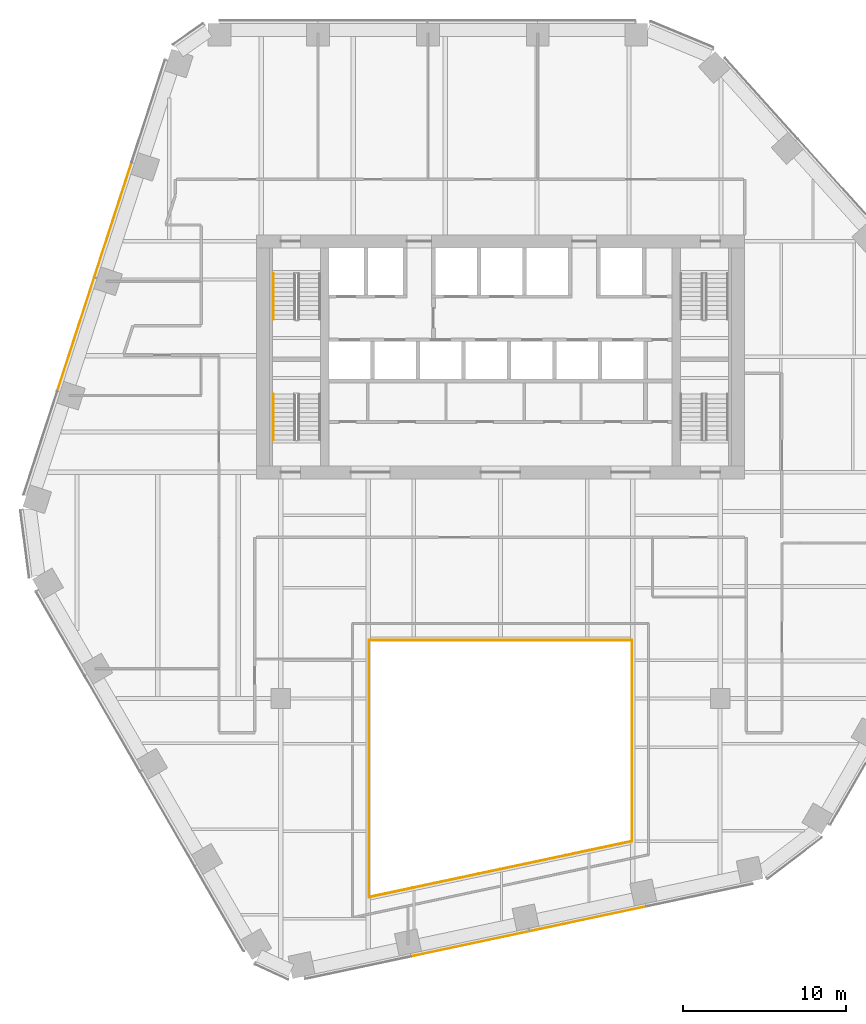
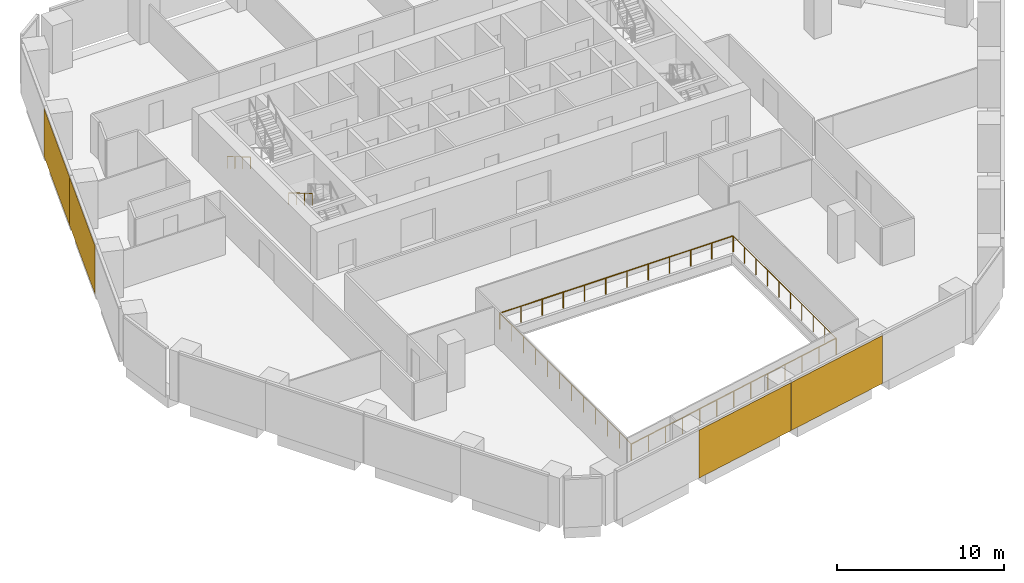
# One storey, part 14 of 16: 6 railings, 4 coverings, 2 elements without a shape of their own.
"""IFC4 building model written with IfcOpenShell, lengths in metres."""

from ifc_helpers import new_model, si_unit, direction, frame, origin, origin_2d, place, context, subcontext, project, spatial, rectangle, circle, extrude, material, layer, layer_set, type_object, element, aggregate, save


model = new_model("IFC4")

# Units and contexts
model_context = context("Model", 3, precision=1e-05, world=origin(), true_north=direction((0.0, 1.0)))
body_context = subcontext(model_context, "Body", "Model", "MODEL_VIEW")
ifc_project = project(units=[si_unit("LENGTHUNIT", "METRE"), si_unit("AREAUNIT", "SQUARE_METRE"), si_unit("VOLUMEUNIT", "CUBIC_METRE"), si_unit("PLANEANGLEUNIT", "RADIAN"), si_unit("MASSUNIT", "GRAM", prefix="KILO")], contexts=[model_context])

# Site, building, storey
site_placement = place(None, origin())
site = spatial("IfcSite", under=ifc_project, at=site_placement, CompositionType="ELEMENT")
building_placement = place(site_placement, origin())
building = spatial("IfcBuilding", under=site, at=building_placement, Name="Isthmus Gate Tower", CompositionType="ELEMENT")
storey_placement = place(building_placement, frame((0.0, 0.0, 151.699951171875)))
storey = spatial("IfcBuildingStorey", under=building, at=storey_placement, Name="L37", CompositionType="ELEMENT", Elevation=151.699951171875)

# Railings
ifc_material_1 = material(Name="Laminated toughened glass balustrade with steel rail", Category="steel")
railing_type_1 = type_object("IfcRailingType", Name="ATRIUM GUARD GLASS BALUSTRADE 1200", PredefinedType="GUARDRAIL", material=ifc_material_1)
railing_1_placement = place(storey_placement, frame((-8.080078125, -25.7099609375, 0.0)))
element("IfcRailing", 1, at=railing_1_placement, inside=storey, type_object=railing_type_1, Name="L37 atrium guard", PredefinedType="GUARDRAIL", context=body_context, shape_type="SweptSolid", body=[
    extrude(circle(Radius=0.02490234375, at=origin_2d()), frame((0.0, 0.0, 1.1748046875), z_axis=(0.0, 1.0, 0.0), x_axis=(-1.0, 0.0, 0.0)), (0.0, 0.0, 1.0), 15.7900390625),
    extrude(circle(Radius=0.02490234375, at=origin_2d()), origin(), (0.0, 0.0, 1.0), 1.14990234375),
    extrude(circle(Radius=0.02490234375, at=origin_2d()), frame((0.0, 1.435546875, 0.0)), (0.0, 0.0, 1.0), 1.14990234375),
    extrude(circle(Radius=0.02490234375, at=origin_2d()), frame((0.0, 2.870849609375, 0.0)), (0.0, 0.0, 1.0), 1.14990234375),
    extrude(circle(Radius=0.02490234375, at=origin_2d()), frame((0.0, 4.306396484375, 0.0)), (0.0, 0.0, 1.0), 1.14990234375),
    extrude(circle(Radius=0.02490234375, at=origin_2d()), frame((0.0, 5.741943359375, 0.0)), (0.0, 0.0, 1.0), 1.14990234375),
    extrude(circle(Radius=0.02490234375, at=origin_2d()), frame((0.0, 7.17724609375, 0.0)), (0.0, 0.0, 1.0), 1.14990234375),
    extrude(circle(Radius=0.02490234375, at=origin_2d()), frame((0.0, 8.61279296875, 0.0)), (0.0, 0.0, 1.0), 1.14990234375),
    extrude(circle(Radius=0.02490234375, at=origin_2d()), frame((0.0, 10.048095703125, 0.0)), (0.0, 0.0, 1.0), 1.14990234375),
    extrude(circle(Radius=0.02490234375, at=origin_2d()), frame((0.0, 11.483642578125, 0.0)), (0.0, 0.0, 1.0), 1.14990234375),
    extrude(circle(Radius=0.02490234375, at=origin_2d()), frame((0.0, 12.919189453125, 0.0)), (0.0, 0.0, 1.0), 1.14990234375),
    extrude(circle(Radius=0.02490234375, at=origin_2d()), frame((0.0, 14.3544921875, 0.0)), (0.0, 0.0, 1.0), 1.14990234375),
    extrude(circle(Radius=0.02490234375, at=origin_2d()), frame((0.0, 15.7900390625, 0.0)), (0.0, 0.0, 1.0), 1.14990234375),
])
railing_2_placement = place(storey_placement, frame((-8.080078125, -9.919921875, 0.0)))
element("IfcRailing", 2, at=railing_2_placement, inside=storey, type_object=railing_type_1, Name="L37 atrium guard", PredefinedType="GUARDRAIL", context=body_context, shape_type="SweptSolid", body=[
    extrude(circle(Radius=0.02490234375, at=origin_2d()), frame((0.0, 0.0, 1.1748046875), z_axis=(1.0, 0.0, 0.0), x_axis=(0.0, 1.0, 0.0)), (0.0, 0.0, 1.0), 16.16015625),
    extrude(circle(Radius=0.02490234375, at=origin_2d()), origin(), (0.0, 0.0, 1.0), 1.14990234375),
    extrude(circle(Radius=0.02490234375, at=origin_2d()), frame((1.468994140625, 0.0, 0.0)), (0.0, 0.0, 1.0), 1.14990234375),
    extrude(circle(Radius=0.02490234375, at=origin_2d()), frame((2.938232421875, 0.0, 0.0)), (0.0, 0.0, 1.0), 1.14990234375),
    extrude(circle(Radius=0.02490234375, at=origin_2d()), frame((4.4072265625, 0.0, 0.0)), (0.0, 0.0, 1.0), 1.14990234375),
    extrude(circle(Radius=0.02490234375, at=origin_2d()), frame((5.87646484375, 0.0, 0.0)), (0.0, 0.0, 1.0), 1.14990234375),
    extrude(circle(Radius=0.02490234375, at=origin_2d()), frame((7.345458984375, 0.0, 0.0)), (0.0, 0.0, 1.0), 1.14990234375),
    extrude(circle(Radius=0.02490234375, at=origin_2d()), frame((8.814697265625, 0.0, 0.0)), (0.0, 0.0, 1.0), 1.14990234375),
    extrude(circle(Radius=0.02490234375, at=origin_2d()), frame((10.28369140625, 0.0, 0.0)), (0.0, 0.0, 1.0), 1.14990234375),
    extrude(circle(Radius=0.02490234375, at=origin_2d()), frame((11.7529296875, 0.0, 0.0)), (0.0, 0.0, 1.0), 1.14990234375),
    extrude(circle(Radius=0.02490234375, at=origin_2d()), frame((13.221923828125, 0.0, 0.0)), (0.0, 0.0, 1.0), 1.14990234375),
    extrude(circle(Radius=0.02490234375, at=origin_2d()), frame((14.691162109375, 0.0, 0.0)), (0.0, 0.0, 1.0), 1.14990234375),
    extrude(circle(Radius=0.02490234375, at=origin_2d()), frame((16.16015625, 0.0, 0.0)), (0.0, 0.0, 1.0), 1.14990234375),
])
railing_3_placement = place(storey_placement, frame((8.080078125, -9.919921875, 0.0)))
element("IfcRailing", 3, at=railing_3_placement, inside=storey, type_object=railing_type_1, Name="L37 atrium guard", PredefinedType="GUARDRAIL", context=body_context, shape_type="SweptSolid", body=[
    extrude(circle(Radius=0.02490234375, at=origin_2d()), frame((0.0, 0.0, 1.1748046875), z_axis=(0.0, -1.0, 0.0), x_axis=(1.0, 0.0, 0.0)), (0.0, 0.0, 1.0), 12.35498046875),
    extrude(circle(Radius=0.02490234375, at=origin_2d()), origin(), (0.0, 0.0, 1.0), 1.14990234375),
    extrude(circle(Radius=0.02490234375, at=origin_2d()), frame((0.0, -1.372802734375, 0.0)), (0.0, 0.0, 1.0), 1.14990234375),
    extrude(circle(Radius=0.02490234375, at=origin_2d()), frame((0.0, -2.74560546875, 0.0)), (0.0, 0.0, 1.0), 1.14990234375),
    extrude(circle(Radius=0.02490234375, at=origin_2d()), frame((0.0, -4.118408203125, 0.0)), (0.0, 0.0, 1.0), 1.14990234375),
    extrude(circle(Radius=0.02490234375, at=origin_2d()), frame((0.0, -5.4912109375, 0.0)), (0.0, 0.0, 1.0), 1.14990234375),
    extrude(circle(Radius=0.02490234375, at=origin_2d()), frame((0.0, -6.86376953125, 0.0)), (0.0, 0.0, 1.0), 1.14990234375),
    extrude(circle(Radius=0.02490234375, at=origin_2d()), frame((0.0, -8.236572265625, 0.0)), (0.0, 0.0, 1.0), 1.14990234375),
    extrude(circle(Radius=0.02490234375, at=origin_2d()), frame((0.0, -9.609375, 0.0)), (0.0, 0.0, 1.0), 1.14990234375),
    extrude(circle(Radius=0.02490234375, at=origin_2d()), frame((0.0, -10.982177734375, 0.0)), (0.0, 0.0, 1.0), 1.14990234375),
    extrude(circle(Radius=0.02490234375, at=origin_2d()), frame((0.0, -12.35498046875, 0.0)), (0.0, 0.0, 1.0), 1.14990234375),
])
railing_4_placement = place(storey_placement, frame((8.080078125, -22.27490234375, 0.0)))
element("IfcRailing", 4, at=railing_4_placement, inside=storey, type_object=railing_type_1, Name="L37 atrium guard", PredefinedType="GUARDRAIL", context=body_context, shape_type="SweptSolid", body=[
    extrude(circle(Radius=0.02490234375, at=origin_2d()), frame((0.0, 0.0, 1.1748046875), z_axis=(-0.978146230105, -0.207918139013, 0.0), x_axis=(0.207918139013, -0.978146230105, 0.0)), (0.0, 0.0, 1.0), 16.521240234375),
    extrude(circle(Radius=0.02490234375, at=origin_2d()), origin(), (0.0, 0.0, 1.0), 1.14990234375),
    extrude(circle(Radius=0.02490234375, at=origin_2d()), frame((-1.3466796875, -0.2861328125, 0.0)), (0.0, 0.0, 1.0), 1.14990234375),
    extrude(circle(Radius=0.02490234375, at=origin_2d()), frame((-2.693359375, -0.572509765625, 0.0)), (0.0, 0.0, 1.0), 1.14990234375),
    extrude(circle(Radius=0.02490234375, at=origin_2d()), frame((-4.0400390625, -0.85888671875, 0.0)), (0.0, 0.0, 1.0), 1.14990234375),
    extrude(circle(Radius=0.02490234375, at=origin_2d()), frame((-5.38671875, -1.14501953125, 0.0)), (0.0, 0.0, 1.0), 1.14990234375),
    extrude(circle(Radius=0.02490234375, at=origin_2d()), frame((-6.7333984375, -1.43115234375, 0.0)), (0.0, 0.0, 1.0), 1.14990234375),
    extrude(circle(Radius=0.02490234375, at=origin_2d()), frame((-8.080078125, -1.717529296875, 0.0)), (0.0, 0.0, 1.0), 1.14990234375),
    extrude(circle(Radius=0.02490234375, at=origin_2d()), frame((-9.4267578125, -2.00390625, 0.0)), (0.0, 0.0, 1.0), 1.14990234375),
    extrude(circle(Radius=0.02490234375, at=origin_2d()), frame((-10.7734375, -2.2900390625, 0.0)), (0.0, 0.0, 1.0), 1.14990234375),
    extrude(circle(Radius=0.02490234375, at=origin_2d()), frame((-12.1201171875, -2.576171875, 0.0)), (0.0, 0.0, 1.0), 1.14990234375),
    extrude(circle(Radius=0.02490234375, at=origin_2d()), frame((-13.466796875, -2.862548828125, 0.0)), (0.0, 0.0, 1.0), 1.14990234375),
    extrude(circle(Radius=0.02490234375, at=origin_2d()), frame((-14.8134765625, -3.14892578125, 0.0)), (0.0, 0.0, 1.0), 1.14990234375),
    extrude(circle(Radius=0.02490234375, at=origin_2d()), frame((-16.16015625, -3.43505859375, 0.0)), (0.0, 0.0, 1.0), 1.14990234375),
])

# Curtain wall, coverings
ifc_material_2 = material(Name="Aluminium, pale champagne anodised", Category="aluminium")
ifc_layer_1 = layer(ifc_material_2, 0.199951171875)
ifc_layer_set_1 = layer_set([ifc_layer_1], Name="CW-1 UNITISED CURTAIN WALL 200 DEEP")
curtain_wall_type = type_object("IfcCurtainWallType", Name="CW-1 UNITISED CURTAIN WALL 200 DEEP", PredefinedType="NOTDEFINED", material=ifc_layer_set_1)
curtain_wall_1_placement = place(storey_placement, origin())
curtain_wall_1 = element("IfcCurtainWall", 5, at=curtain_wall_1_placement, inside=storey, type_object=curtain_wall_type, Name="CW-1 NW L37", PredefinedType="NOTDEFINED")
ifc_material_3 = material(Name="Aluminium composite panel, pale champagne anodised", Category="aluminium")
ifc_layer_2 = layer(ifc_material_3, 0.035888671875)
ifc_layer_set_2 = layer_set([ifc_layer_2], Name="CW-1 PALE METAL PANEL 36")
covering_type = type_object("IfcCoveringType", Name="CW-1 PALE METAL PANEL 36", PredefinedType="CLADDING", material=ifc_layer_set_2)
covering_1_placement = place(storey_placement, frame((-23.813720703125, 15.927490234375, 0.0), z_axis=(0.0, 0.0, 1.0), x_axis=(-0.309016994375, -0.951056516295, 0.0)))
covering_1 = element("IfcCovering", 6, at=covering_1_placement, type_object=covering_type, Name="CW-1 pale metal panel", PredefinedType="CLADDING", context=body_context, shape_type="SweptSolid", body=[
    extrude(rectangle(XDim=7.390869140625, YDim=0.035888671875, at=origin_2d()), origin(), (0.0, 0.0, 1.0), 3.510009765625),
])
covering_2_placement = place(storey_placement, frame((-26.10693359375, 8.8701171875, 0.0), z_axis=(0.0, 0.0, 1.0), x_axis=(-0.309016994375, -0.951056516295, 0.0)))
covering_2 = element("IfcCovering", 7, at=covering_2_placement, type_object=covering_type, Name="CW-1 pale metal panel", PredefinedType="CLADDING", context=body_context, shape_type="SweptSolid", body=[
    extrude(rectangle(XDim=7.330810546875, YDim=0.035888671875, at=origin_2d()), origin(), (0.0, 0.0, 1.0), 3.510009765625),
])
aggregate(curtain_wall_1, [covering_1, covering_2])

curtain_wall_2_placement = place(storey_placement, origin())
curtain_wall_2 = element("IfcCurtainWall", 8, at=curtain_wall_2_placement, inside=storey, type_object=curtain_wall_type, Name="CW-1 S L37", PredefinedType="NOTDEFINED")
covering_3_placement = place(storey_placement, frame((-1.88671875, -28.587158203125, 0.0), z_axis=(0.0, 0.0, 1.0), x_axis=(0.978147600734, 0.207911690818, 0.0)))
covering_3 = element("IfcCovering", 9, at=covering_3_placement, type_object=covering_type, Name="CW-1 pale metal panel", PredefinedType="CLADDING", context=body_context, shape_type="SweptSolid", body=[
    extrude(rectangle(XDim=7.390869140625, YDim=0.035888671875, at=origin_2d()), origin(), (0.0, 0.0, 1.0), 3.510009765625),
])
covering_4_placement = place(storey_placement, frame((5.371826171875, -27.044189453125, 0.0), z_axis=(0.0, 0.0, 1.0), x_axis=(0.978147600734, 0.207911690818, 0.0)))
covering_4 = element("IfcCovering", 10, at=covering_4_placement, type_object=covering_type, Name="CW-1 pale metal panel", PredefinedType="CLADDING", context=body_context, shape_type="SweptSolid", body=[
    extrude(rectangle(XDim=7.330810546875, YDim=0.035888671875, at=origin_2d()), origin(), (0.0, 0.0, 1.0), 3.510009765625),
])
aggregate(curtain_wall_2, [covering_3, covering_4])

# Railings
ifc_material_4 = material(Name="Stainless steel handrail", Category="steel")
railing_type_2 = type_object("IfcRailingType", Name="STAIR HANDRAIL 900", PredefinedType="HANDRAIL", material=ifc_material_4)
railing_5_placement = place(storey_placement, frame((-13.949951171875, 12.60009765625, 0.166015625)))
element("IfcRailing", 11, at=railing_5_placement, inside=storey, type_object=railing_type_2, Name="L37 ST1 stair handrail 1", PredefinedType="HANDRAIL", context=body_context, shape_type="SweptSolid", body=[
    extrude(circle(Radius=0.02392578125, at=origin_2d()), frame((0.0, 0.0, 0.8759765625), z_axis=(0.0, -0.860339051648, 0.50972219513), x_axis=(1.0, 0.0, 0.0)), (0.0, 0.0, 1.0), 3.254638671875),
    extrude(circle(Radius=0.02099609375, at=origin_2d()), origin(), (0.0, 0.0, 1.0), 0.851806640625),
    extrude(circle(Radius=0.02099609375, at=origin_2d()), frame((0.0, -0.933349609375, 0.552978515625)), (0.0, 0.0, 1.0), 0.851806640625),
    extrude(circle(Radius=0.02099609375, at=origin_2d()), frame((0.0, -1.86669921875, 1.10595703125)), (0.0, 0.0, 1.0), 0.851806640625),
    extrude(circle(Radius=0.02099609375, at=origin_2d()), frame((0.0, -2.800048828125, 1.658935546875)), (0.0, 0.0, 1.0), 0.851806640625),
])
railing_6_placement = place(storey_placement, frame((-13.949951171875, 5.199951171875, 1.990966796875)))
element("IfcRailing", 12, at=railing_6_placement, inside=storey, type_object=railing_type_2, Name="L37 ST7 stair handrail 2", PredefinedType="HANDRAIL", context=body_context, shape_type="SweptSolid", body=[
    extrude(circle(Radius=0.02392578125, at=origin_2d()), frame((0.0, 0.0, 0.8759765625), z_axis=(0.0, -0.860306154799, 0.50977771628), x_axis=(1.0, 0.0, 0.0)), (0.0, 0.0, 1.0), 3.254638671875),
    extrude(circle(Radius=0.02099609375, at=origin_2d()), origin(), (0.0, 0.0, 1.0), 0.851806640625),
    extrude(circle(Radius=0.02099609375, at=origin_2d()), frame((0.0, -0.933349609375, 0.552978515625)), (0.0, 0.0, 1.0), 0.851806640625),
    extrude(circle(Radius=0.02099609375, at=origin_2d()), frame((0.0, -1.86669921875, 1.106201171875)), (0.0, 0.0, 1.0), 0.851806640625),
    extrude(circle(Radius=0.02099609375, at=origin_2d()), frame((0.0, -2.800048828125, 1.6591796875)), (0.0, 0.0, 1.0), 0.851806640625),
])

save(model, "model.ifc")
